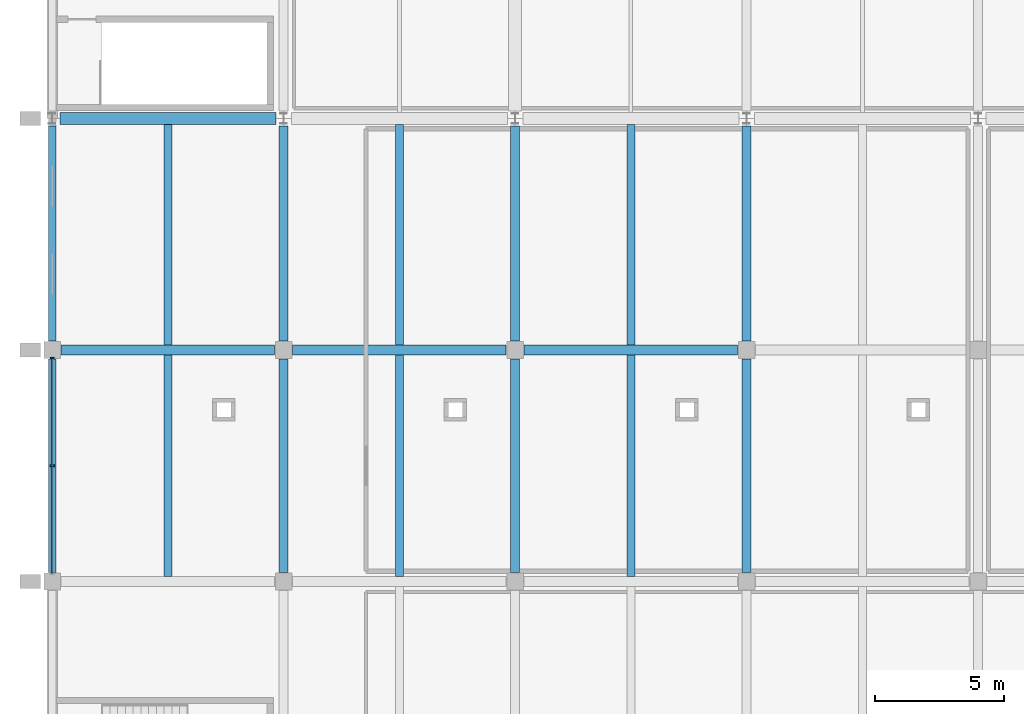
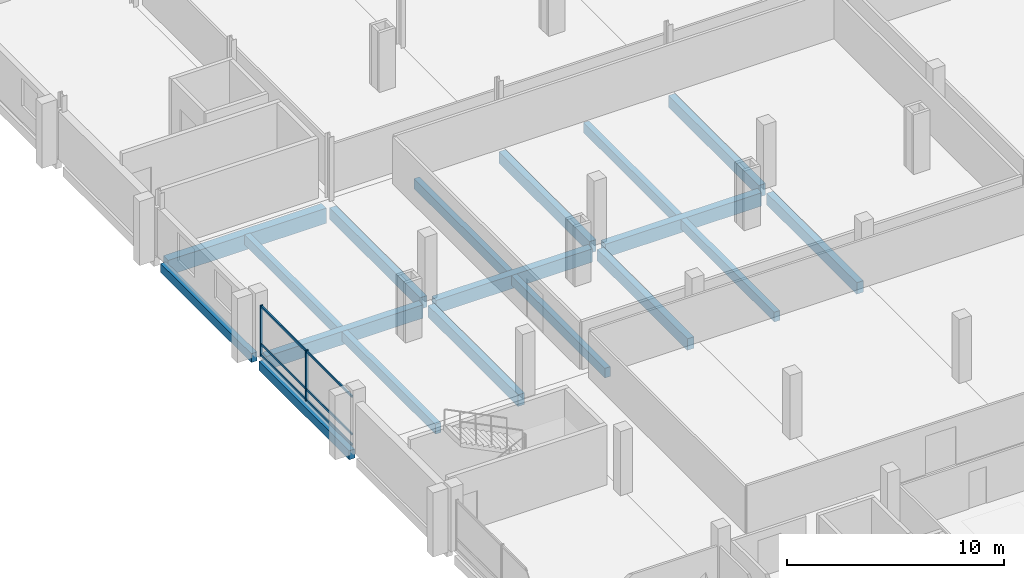
# One storey, part 35 of 132: 18 beams, 8 members, 1 element without a shape of its own.
"""IFC4 building model written with IfcOpenShell, lengths in metres."""

import ifcopenshell
import ifcopenshell.guid

model = None  # the IFC model being written
_history = None  # IfcOwnerHistory: only IFC2X3 demands one
_inside = {}  # id of a spatial element -> (the spatial element, [elements in it])
_under = {}  # id of a project, library or spatial element -> (it, [spatial elements below it])
_declared = {}  # id of a project -> (the project, [libraries it declares])
_typed = {}  # id of a type object -> (the type object, [elements of that type])
_made_of = {}  # id of a material, layer set ... -> (it, [elements and type objects made of it])


def new_model(schema):
    """Start an empty IFC model of exactly this schema.

    Asked for "IFC4X3", IfcOpenShell would pick the latest addendum, in which some entities
    have other attributes; the version numbers below select the first issue.
    IFC2X3 requires an IfcOwnerHistory on every rooted entity: one is made here for all.
    """
    global model, _history
    if schema == "IFC4X3":
        model = ifcopenshell.file(schema_version=(4, 3, 0, 0))
    else:
        model = ifcopenshell.file(schema=schema)
    _inside.clear()
    _under.clear()
    _declared.clear()
    _typed.clear()
    _made_of.clear()
    _history = None
    if model.schema == "IFC2X3":
        org = make("IfcOrganization", Name="unknown")
        user = make(
            "IfcPersonAndOrganization",
            ThePerson=make("IfcPerson", FamilyName="unknown"),
            TheOrganization=org,
        )
        app = make(
            "IfcApplication",
            ApplicationDeveloper=org,
            Version="unknown",
            ApplicationFullName="unknown",
            ApplicationIdentifier="unknown",
        )
        _history = make(
            "IfcOwnerHistory",
            OwningUser=user,
            OwningApplication=app,
            ChangeAction="ADDED",
            CreationDate=0,
        )
    return model


def make(cls, **values):
    """One entity of the class cls with the attributes given. An attribute that is None is left unset."""
    return model.create_entity(
        cls, **{name: value for name, value in values.items() if value is not None}
    )


def rooted(cls, **values):
    """An entity with a GlobalId (a new one), such as an element, a storey or a relation."""
    return make(cls, GlobalId=ifcopenshell.guid.new(), OwnerHistory=_history, **values)


def si_unit(unit_type, name, prefix=None):
    """IfcSIUnit, for example si_unit("LENGTHUNIT", "METRE", prefix="MILLI")."""
    return make("IfcSIUnit", UnitType=unit_type, Prefix=prefix, Name=name)


def assignment(units):
    """IfcUnitAssignment: the units of a project."""
    return None if units is None else make("IfcUnitAssignment", Units=units)


def point(xyz):
    """IfcCartesianPoint."""
    return None if xyz is None else make("IfcCartesianPoint", Coordinates=xyz)


def direction(xyz):
    """IfcDirection."""
    return None if xyz is None else make("IfcDirection", DirectionRatios=xyz)


def frame(location, z_axis=None, x_axis=None):
    """IfcAxis2Placement3D, a coordinate frame: its origin and axes. An axis left out is left unset."""
    return make(
        "IfcAxis2Placement3D",
        Location=point(location),
        Axis=direction(z_axis),
        RefDirection=direction(x_axis),
    )


def frame_2d(location, x_axis=None):
    """IfcAxis2Placement2D, a coordinate frame in the plane: its origin and x axis."""
    return make(
        "IfcAxis2Placement2D", Location=point(location), RefDirection=direction(x_axis)
    )


def origin():
    """The frame at (0, 0, 0) with its axes left unset."""
    return frame((0.0, 0.0, 0.0))


def origin_2d():
    """The frame at (0, 0) in the plane with its x axis left unset."""
    return frame_2d((0.0, 0.0))


def place(relative_to, where):
    """IfcLocalPlacement: puts the frame where relative to a parent placement (None: the world)."""
    return make(
        "IfcLocalPlacement", PlacementRelTo=relative_to, RelativePlacement=where
    )


def context(
    kind, dimensions, precision=None, world=None, true_north=None, identifier=None
):
    """IfcGeometricRepresentationContext, for example the 3D "Model" context."""
    return make(
        "IfcGeometricRepresentationContext",
        ContextIdentifier=identifier,
        ContextType=kind,
        CoordinateSpaceDimension=dimensions,
        Precision=precision,
        WorldCoordinateSystem=world,
        TrueNorth=true_north,
    )


def subcontext(parent, identifier, kind, view, scale=None):
    """IfcGeometricRepresentationSubContext, for example "Body" below "Model"."""
    return make(
        "IfcGeometricRepresentationSubContext",
        ContextIdentifier=identifier,
        ContextType=kind,
        ParentContext=parent,
        TargetScale=scale,
        TargetView=view,
    )


def project(units=None, contexts=None):
    """IfcProject with its units and contexts."""
    return rooted(
        "IfcProject",
        Name="project",
        RepresentationContexts=contexts,
        UnitsInContext=assignment(units),
    )


def spatial(cls, under=None, at=None, **own):
    """A site, building, storey or space (cls), placed at a placement, below another one or the project."""
    s = rooted(cls, ObjectPlacement=at, **own)
    if under is not None:
        _under.setdefault(under.id(), (under, []))[1].append(s)
    return s


def profile(cls, at=None, kind="AREA", **sizes):
    """A parametric profile (cls). Its sizes go by their IFC names, for example OverallWidth=200.0."""
    return make(cls, ProfileType=kind, Position=at, **sizes)


def rectangle(**sizes):
    """IfcRectangleProfileDef."""
    return profile("IfcRectangleProfileDef", **sizes)


def extrude(swept, where, along, depth):
    """IfcExtrudedAreaSolid: the profile swept, set in the frame where, extruded along a direction by depth."""
    return make(
        "IfcExtrudedAreaSolid",
        SweptArea=swept,
        Position=where,
        ExtrudedDirection=direction(along),
        Depth=depth,
    )


def shape(context_of_items, identifier, shape_type, items):
    """IfcShapeRepresentation: the items that make up one representation, for example the "Body"."""
    return make(
        "IfcShapeRepresentation",
        ContextOfItems=context_of_items,
        RepresentationIdentifier=identifier,
        RepresentationType=shape_type,
        Items=items,
    )


def material(Name=None, Category=None):
    """IfcMaterial."""
    return make("IfcMaterial", Name=Name, Category=Category)


def material_profile(
    of_material, cross_section, Name=None, Category=None, Priority=None
):
    """IfcMaterialProfile: a cross section and its material."""
    return make(
        "IfcMaterialProfile",
        Name=Name,
        Material=of_material,
        Profile=cross_section,
        Priority=Priority,
        Category=Category,
    )


def profile_set(profiles, Name=None, composite=None):
    """IfcMaterialProfileSet."""
    return make(
        "IfcMaterialProfileSet",
        Name=Name,
        MaterialProfiles=profiles,
        CompositeProfile=composite,
    )


def made_of(thing, what):
    """Note that an element or type object is made of a material, layer set ...; save() writes the relation."""
    if what is not None:
        _made_of.setdefault(what.id(), (what, []))[1].append(thing)
    return thing


def type_object(cls, material=None, **own):
    """A type object (cls), such as IfcWallType, which elements share."""
    return made_of(rooted(cls, **own), material)


def element(
    cls,
    number,
    at=None,
    inside=None,
    cuts=None,
    type_object=None,
    material=None,
    context=None,
    identifier="Body",
    shape_type=None,
    held_by="IfcProductDefinitionShape",
    body=None,
    shapes=None,
    **own,
):
    """One element of the class cls, such as IfcWall. Its Tag is "e" and its number.

    at: its placement. inside: the storey or other place that contains it. cuts: it is an
    opening in that element (IfcRelVoidsElement). A single representation is given by context,
    identifier, shape_type and body (its items); several are given by shapes. held_by: the class
    of the entity that holds the representations. save() writes the other relations.
    """
    e = rooted(cls, Tag="e%d" % number, ObjectPlacement=at, **own)
    if body is not None:
        shapes = [shape(context, identifier, shape_type, body)]
    if shapes is not None:
        e.Representation = make(held_by, Representations=shapes)
    if inside is not None:
        _inside.setdefault(inside.id(), (inside, []))[1].append(e)
    if cuts is not None:
        rooted(
            "IfcRelVoidsElement", RelatingBuildingElement=cuts, RelatedOpeningElement=e
        )
    if type_object is not None:
        _typed.setdefault(type_object.id(), (type_object, []))[1].append(e)
    return made_of(e, material)


def aggregate(whole, parts):
    """IfcRelAggregates: a whole, such as a stair, and the parts it consists of."""
    return rooted("IfcRelAggregates", RelatingObject=whole, RelatedObjects=parts)


def save(model, path):
    """Write the relations noted so far, then the file.

    IfcRelAggregates (storeys below a building ...), IfcRelContainedInSpatialStructure (elements
    in a storey), IfcRelDefinesByType, IfcRelAssociatesMaterial and IfcRelDeclares: one each for
    every whole, place, type object, material and project.
    """
    for whole, parts in _under.values():
        aggregate(whole, parts)
    for where, things in _inside.values():
        rooted(
            "IfcRelContainedInSpatialStructure",
            RelatedElements=things,
            RelatingStructure=where,
        )
    for kind, things in _typed.values():
        rooted("IfcRelDefinesByType", RelatedObjects=things, RelatingType=kind)
    for what, things in _made_of.values():
        rooted("IfcRelAssociatesMaterial", RelatedObjects=things, RelatingMaterial=what)
    for by, libraries in _declared.values():
        rooted("IfcRelDeclares", RelatingContext=by, RelatedDefinitions=libraries)
    model.write(path)


model = new_model("IFC4")

# Units and contexts
model_context = context("Model", 3, precision=1e-05, world=origin(), true_north=direction((0.0, 1.0)))
body_context = subcontext(model_context, "Body", "Model", "MODEL_VIEW")
ifc_project = project(units=[si_unit("LENGTHUNIT", "METRE"), si_unit("AREAUNIT", "SQUARE_METRE"), si_unit("VOLUMEUNIT", "CUBIC_METRE"), si_unit("PLANEANGLEUNIT", "RADIAN"), si_unit("MASSUNIT", "GRAM", prefix="KILO")], contexts=[model_context])

# Site, building, storey
site_placement = place(None, origin())
site = spatial("IfcSite", under=ifc_project, at=site_placement, CompositionType="ELEMENT")
building_placement = place(site_placement, origin())
building = spatial("IfcBuilding", under=site, at=building_placement, Name="Tharagai Park Tramway Depot", CompositionType="ELEMENT")
storey_placement = place(building_placement, frame((0.0, 0.0, 4.800048828125)))
storey = spatial("IfcBuildingStorey", under=building, at=storey_placement, Name="L01", CompositionType="ELEMENT", Elevation=4.800048828125)

# Beams
ifc_material_1 = material(Name="Concrete M35", Category="concrete")
ifc_material_profile_1 = material_profile(ifc_material_1, rectangle(XDim=0.449951171875, YDim=0.85009765625, at=origin_2d()), Name="RC 450x850")
ifc_profile_set_1 = profile_set([ifc_material_profile_1], Name="Concrete M35")
beam_type_1 = type_object("IfcBeamType", Name="BM-03", PredefinedType="BEAM", material=ifc_profile_set_1)
beam_1_placement = place(storey_placement, frame((0.300048828125, 45.0, -0.705078125), z_axis=(1.0, 0.0, 0.0), x_axis=(0.0, 1.0, 0.0)))
element("IfcBeam", 1, at=beam_1_placement, inside=storey, type_object=beam_type_1, Name="L01 Grid Beam BM-03", PredefinedType="BEAM", context=body_context, shape_type="SweptSolid", body=[
    extrude(rectangle(XDim=0.449951171875, YDim=0.85009765625, at=origin_2d()), origin(), (0.0, 0.0, 1.0), 8.39990234375),
])
ifc_material_profile_2 = material_profile(ifc_material_1, rectangle(XDim=0.35009765625, YDim=0.64990234375, at=origin_2d()), Name="RC 350x650")
ifc_profile_set_2 = profile_set([ifc_material_profile_2], Name="Concrete M35")
beam_type_2 = type_object("IfcBeamType", Name="BM-13", PredefinedType="BEAM", material=ifc_profile_set_2)
beam_2_placement = place(storey_placement, frame((9.0, 27.35009765625, -0.574951171875), z_axis=(0.0, 1.0, 0.0), x_axis=(-1.0, 0.0, 0.0)))
element("IfcBeam", 2, at=beam_2_placement, inside=storey, type_object=beam_type_2, Name="L01 Grid Beam BM-13", PredefinedType="BEAM", context=body_context, shape_type="SweptSolid", body=[
    extrude(rectangle(XDim=0.35009765625, YDim=0.64990234375, at=origin_2d()), origin(), (0.0, 0.0, 1.0), 8.2998046875),
])
beam_3_placement = place(storey_placement, frame((9.0, 36.35009765625, -0.574951171875), z_axis=(0.0, 1.0, 0.0), x_axis=(-1.0, 0.0, 0.0)))
element("IfcBeam", 3, at=beam_3_placement, inside=storey, type_object=beam_type_2, Name="L01 Grid Beam BM-13", PredefinedType="BEAM", context=body_context, shape_type="SweptSolid", body=[
    extrude(rectangle(XDim=0.35009765625, YDim=0.64990234375, at=origin_2d()), origin(), (0.0, 0.0, 1.0), 8.349853515625),
])
beam_4_placement = place(storey_placement, frame((18.0, 27.35009765625, -0.574951171875), z_axis=(0.0, 1.0, 0.0), x_axis=(-1.0, 0.0, 0.0)))
element("IfcBeam", 4, at=beam_4_placement, inside=storey, type_object=beam_type_2, Name="L01 Grid Beam BM-13", PredefinedType="BEAM", context=body_context, shape_type="SweptSolid", body=[
    extrude(rectangle(XDim=0.35009765625, YDim=0.64990234375, at=origin_2d()), origin(), (0.0, 0.0, 1.0), 8.2998046875),
])
beam_5_placement = place(storey_placement, frame((18.0, 36.35009765625, -0.574951171875), z_axis=(0.0, 1.0, 0.0), x_axis=(-1.0, 0.0, 0.0)))
element("IfcBeam", 5, at=beam_5_placement, inside=storey, type_object=beam_type_2, Name="L01 Grid Beam BM-13", PredefinedType="BEAM", context=body_context, shape_type="SweptSolid", body=[
    extrude(rectangle(XDim=0.35009765625, YDim=0.64990234375, at=origin_2d()), origin(), (0.0, 0.0, 1.0), 8.349853515625),
])
beam_6_placement = place(storey_placement, frame((27.0, 27.35009765625, -0.574951171875), z_axis=(0.0, 1.0, 0.0), x_axis=(-1.0, 0.0, 0.0)))
element("IfcBeam", 6, at=beam_6_placement, inside=storey, type_object=beam_type_2, Name="L01 Grid Beam BM-13", PredefinedType="BEAM", context=body_context, shape_type="SweptSolid", body=[
    extrude(rectangle(XDim=0.35009765625, YDim=0.64990234375, at=origin_2d()), origin(), (0.0, 0.0, 1.0), 8.2998046875),
])
beam_7_placement = place(storey_placement, frame((27.0, 36.35009765625, -0.574951171875), z_axis=(0.0, 1.0, 0.0), x_axis=(-1.0, 0.0, 0.0)))
element("IfcBeam", 7, at=beam_7_placement, inside=storey, type_object=beam_type_2, Name="L01 Grid Beam BM-13", PredefinedType="BEAM", context=body_context, shape_type="SweptSolid", body=[
    extrude(rectangle(XDim=0.35009765625, YDim=0.64990234375, at=origin_2d()), origin(), (0.0, 0.0, 1.0), 8.349853515625),
])
ifc_material_profile_3 = material_profile(ifc_material_1, rectangle(XDim=0.39990234375, YDim=0.75, at=origin_2d()), Name="RC 400x750")
ifc_profile_set_3 = profile_set([ifc_material_profile_3], Name="Concrete M35")
beam_type_3 = type_object("IfcBeamType", Name="BM-19", PredefinedType="BEAM", material=ifc_profile_set_3)
for number, where, z_axis, x_axis, name in (
    (8, (0.35009765625, 36.0, -0.625), (1.0, 0.0, 0.0), (0.0, 1.0, 0.0), "L01 Grid Beam BM-19"),
    (9, (9.35009765625, 36.0, -0.625), (1.0, 0.0, 0.0), (0.0, 1.0, 0.0), "L01 Grid Beam BM-19"),
    (10, (18.35009765625, 36.0, -0.625), (1.0, 0.0, 0.0), (0.0, 1.0, 0.0), "L01 Grid Beam BM-19"),
):
    element("IfcBeam", number, at=place(storey_placement, frame(where, z_axis=z_axis, x_axis=x_axis)), inside=storey, type_object=beam_type_3, Name=name, PredefinedType="BEAM", context=body_context, shape_type="SweptSolid", body=[
        extrude(rectangle(XDim=0.39990234375, YDim=0.75, at=origin_2d()), origin(), (0.0, 0.0, 1.0), 8.2998046875),
    ])

# Curtain wall, members
ifc_material_2 = material(Name="Anodised aluminium", Category="aluminium")
curtain_wall_type = type_object("IfcCurtainWallType", Name="CW-07", PredefinedType="NOTDEFINED", material=ifc_material_2)
curtain_wall_placement = place(storey_placement, origin())
curtain_wall = element("IfcCurtainWall", 11, at=curtain_wall_placement, inside=storey, type_object=curtain_wall_type, Name="L01 V4 Side Mullioned Curtain Wall CW-07", PredefinedType="NOTDEFINED")
ifc_material_profile_4 = material_profile(ifc_material_2, rectangle(XDim=0.06494140625, YDim=0.1201171875, at=origin_2d()), Name="ALU 65x120")
ifc_profile_set_4 = profile_set([ifc_material_profile_4], Name="Anodised aluminium")
member_type_1 = type_object("IfcMemberType", Name="CM-01", PredefinedType="USERDEFINED", material=ifc_profile_set_4)
member_1_placement = place(storey_placement, frame((0.0, 27.330078125, 0.06005859375), z_axis=(0.0, 1.0, 0.0), x_axis=(-1.0, 0.0, 0.0)))
member_1 = element("IfcMember", 12, at=member_1_placement, type_object=member_type_1, Name="L01 V4 Side Mullioned Curtain Wall Transom 1.1", ObjectType="TRANSOM", PredefinedType="USERDEFINED", context=body_context, shape_type="SweptSolid", body=[
    extrude(rectangle(XDim=0.06494140625, YDim=0.1201171875, at=origin_2d()), origin(), (0.0, 0.0, 1.0), 4.155029296875),
])
member_2_placement = place(storey_placement, frame((0.0, 27.330078125, 0.64990234375), z_axis=(0.0, 1.0, 0.0), x_axis=(-1.0, 0.0, 0.0)))
member_2 = element("IfcMember", 13, at=member_2_placement, type_object=member_type_1, Name="L01 V4 Side Mullioned Curtain Wall Transom 1.2", ObjectType="TRANSOM", PredefinedType="USERDEFINED", context=body_context, shape_type="SweptSolid", body=[
    extrude(rectangle(XDim=0.06494140625, YDim=0.1201171875, at=origin_2d()), origin(), (0.0, 0.0, 1.0), 4.155029296875),
])
member_3_placement = place(storey_placement, frame((0.0, 27.330078125, 2.77001953125), z_axis=(0.0, 1.0, 0.0), x_axis=(-1.0, 0.0, 0.0)))
member_3 = element("IfcMember", 14, at=member_3_placement, type_object=member_type_1, Name="L01 V4 Side Mullioned Curtain Wall Transom 1.3", ObjectType="TRANSOM", PredefinedType="USERDEFINED", context=body_context, shape_type="SweptSolid", body=[
    extrude(rectangle(XDim=0.06494140625, YDim=0.1201171875, at=origin_2d()), origin(), (0.0, 0.0, 1.0), 4.155029296875),
])
member_4_placement = place(storey_placement, frame((0.0, 31.514892578125, 0.06005859375), z_axis=(0.0, 1.0, 0.0), x_axis=(-1.0, 0.0, 0.0)))
member_4 = element("IfcMember", 15, at=member_4_placement, type_object=member_type_1, Name="L01 V4 Side Mullioned Curtain Wall Transom 2.1", ObjectType="TRANSOM", PredefinedType="USERDEFINED", context=body_context, shape_type="SweptSolid", body=[
    extrude(rectangle(XDim=0.06494140625, YDim=0.1201171875, at=origin_2d()), origin(), (0.0, 0.0, 1.0), 4.155029296875),
])
member_5_placement = place(storey_placement, frame((0.0, 31.514892578125, 0.64990234375), z_axis=(0.0, 1.0, 0.0), x_axis=(-1.0, 0.0, 0.0)))
member_5 = element("IfcMember", 16, at=member_5_placement, type_object=member_type_1, Name="L01 V4 Side Mullioned Curtain Wall Transom 2.2", ObjectType="TRANSOM", PredefinedType="USERDEFINED", context=body_context, shape_type="SweptSolid", body=[
    extrude(rectangle(XDim=0.06494140625, YDim=0.1201171875, at=origin_2d()), origin(), (0.0, 0.0, 1.0), 4.155029296875),
])
member_6_placement = place(storey_placement, frame((0.0, 31.514892578125, 2.77001953125), z_axis=(0.0, 1.0, 0.0), x_axis=(-1.0, 0.0, 0.0)))
member_6 = element("IfcMember", 17, at=member_6_placement, type_object=member_type_1, Name="L01 V4 Side Mullioned Curtain Wall Transom 2.3", ObjectType="TRANSOM", PredefinedType="USERDEFINED", context=body_context, shape_type="SweptSolid", body=[
    extrude(rectangle(XDim=0.06494140625, YDim=0.1201171875, at=origin_2d()), origin(), (0.0, 0.0, 1.0), 4.155029296875),
])
ifc_material_profile_5 = material_profile(ifc_material_2, rectangle(XDim=0.06494140625, YDim=0.14990234375, at=origin_2d()), Name="ALU 65x150")
ifc_profile_set_5 = profile_set([ifc_material_profile_5], Name="Anodised aluminium")
member_type_2 = type_object("IfcMemberType", Name="CM-03", PredefinedType="MULLION", material=ifc_profile_set_5)
member_7_placement = place(storey_placement, frame((0.0, 31.5, -0.005126953125), z_axis=(0.0, 0.0, 1.0), x_axis=(0.0, 1.0, 0.0)))
member_7 = element("IfcMember", 18, at=member_7_placement, type_object=member_type_2, Name="L01 V4 Side Mullioned Curtain Wall Mullion 2", PredefinedType="MULLION", context=body_context, shape_type="SweptSolid", body=[
    extrude(rectangle(XDim=0.06494140625, YDim=0.14990234375, at=origin_2d()), origin(), (0.0, 0.0, 1.0), 2.860107421875),
])
member_8_placement = place(storey_placement, frame((0.0, 35.68505859375, -0.005126953125), z_axis=(0.0, 0.0, 1.0), x_axis=(0.0, 1.0, 0.0)))
member_8 = element("IfcMember", 19, at=member_8_placement, type_object=member_type_2, Name="L01 V4 Side Mullioned Curtain Wall Mullion 3", PredefinedType="MULLION", context=body_context, shape_type="SweptSolid", body=[
    extrude(rectangle(XDim=0.06494140625, YDim=0.14990234375, at=origin_2d()), origin(), (0.0, 0.0, 1.0), 2.860107421875),
])
aggregate(curtain_wall, [member_7, member_8, member_1, member_2, member_3, member_4, member_5, member_6])

# Beams
ifc_material_profile_6 = material_profile(ifc_material_1, rectangle(XDim=0.300048828125, YDim=0.550048828125, at=origin_2d()), Name="RC 300x550")
ifc_profile_set_6 = profile_set([ifc_material_profile_6], Name="Concrete M35")
beam_type_4 = type_object("IfcBeamType", Name="JT-06", PredefinedType="JOIST", material=ifc_profile_set_6)
beam_8_placement = place(storey_placement, frame((4.5, 27.199951171875, -0.525146484375), z_axis=(0.0, 1.0, 0.0), x_axis=(-1.0, 0.0, 0.0)))
element("IfcBeam", 20, at=beam_8_placement, inside=storey, type_object=beam_type_4, Name="L01 Secondary Joist JT-06", PredefinedType="JOIST", context=body_context, shape_type="SweptSolid", body=[
    extrude(rectangle(XDim=0.300048828125, YDim=0.550048828125, at=origin_2d()), origin(), (0.0, 0.0, 1.0), 8.60009765625),
])
beam_9_placement = place(storey_placement, frame((4.5, 36.199951171875, -0.525146484375), z_axis=(0.0, 1.0, 0.0), x_axis=(-1.0, 0.0, 0.0)))
element("IfcBeam", 21, at=beam_9_placement, inside=storey, type_object=beam_type_4, Name="L01 Secondary Joist JT-06", PredefinedType="JOIST", context=body_context, shape_type="SweptSolid", body=[
    extrude(rectangle(XDim=0.300048828125, YDim=0.550048828125, at=origin_2d()), origin(), (0.0, 0.0, 1.0), 8.574951171875),
])
beam_10_placement = place(storey_placement, frame((13.5, 27.199951171875, -0.525146484375), z_axis=(0.0, 1.0, 0.0), x_axis=(-1.0, 0.0, 0.0)))
element("IfcBeam", 22, at=beam_10_placement, inside=storey, type_object=beam_type_4, Name="L01 Secondary Joist JT-06", PredefinedType="JOIST", context=body_context, shape_type="SweptSolid", body=[
    extrude(rectangle(XDim=0.300048828125, YDim=0.550048828125, at=origin_2d()), origin(), (0.0, 0.0, 1.0), 8.60009765625),
])
beam_11_placement = place(storey_placement, frame((13.5, 36.199951171875, -0.525146484375), z_axis=(0.0, 1.0, 0.0), x_axis=(-1.0, 0.0, 0.0)))
element("IfcBeam", 23, at=beam_11_placement, inside=storey, type_object=beam_type_4, Name="L01 Secondary Joist JT-06", PredefinedType="JOIST", context=body_context, shape_type="SweptSolid", body=[
    extrude(rectangle(XDim=0.300048828125, YDim=0.550048828125, at=origin_2d()), origin(), (0.0, 0.0, 1.0), 8.574951171875),
])
beam_12_placement = place(storey_placement, frame((22.5, 27.199951171875, -0.525146484375), z_axis=(0.0, 1.0, 0.0), x_axis=(-1.0, 0.0, 0.0)))
element("IfcBeam", 24, at=beam_12_placement, inside=storey, type_object=beam_type_4, Name="L01 Secondary Joist JT-06", PredefinedType="JOIST", context=body_context, shape_type="SweptSolid", body=[
    extrude(rectangle(XDim=0.300048828125, YDim=0.550048828125, at=origin_2d()), origin(), (0.0, 0.0, 1.0), 8.60009765625),
])
beam_13_placement = place(storey_placement, frame((22.5, 36.199951171875, -0.525146484375), z_axis=(0.0, 1.0, 0.0), x_axis=(-1.0, 0.0, 0.0)))
element("IfcBeam", 25, at=beam_13_placement, inside=storey, type_object=beam_type_4, Name="L01 Secondary Joist JT-06", PredefinedType="JOIST", context=body_context, shape_type="SweptSolid", body=[
    extrude(rectangle(XDim=0.300048828125, YDim=0.550048828125, at=origin_2d()), origin(), (0.0, 0.0, 1.0), 8.574951171875),
])
ifc_material_profile_7 = material_profile(ifc_material_1, rectangle(XDim=0.300048828125, YDim=0.5, at=origin_2d()), Name="RC 300x500")
ifc_profile_set_7 = profile_set([ifc_material_profile_7], Name="Concrete M35")
beam_type_5 = type_object("IfcBeamType", Name="SP-03", PredefinedType="SPANDREL", material=ifc_profile_set_7)
beam_14_placement = place(storey_placement, frame((0.0, 27.35009765625, -0.5), z_axis=(0.0, 1.0, 0.0), x_axis=(-1.0, 0.0, 0.0)))
element("IfcBeam", 26, at=beam_14_placement, inside=storey, type_object=beam_type_5, Name="L01 Grid Beam SP-03", PredefinedType="SPANDREL", context=body_context, shape_type="SweptSolid", body=[
    extrude(rectangle(XDim=0.300048828125, YDim=0.5, at=origin_2d()), origin(), (0.0, 0.0, 1.0), 8.2998046875),
])
beam_15_placement = place(storey_placement, frame((0.0, 36.35009765625, -0.5), z_axis=(0.0, 1.0, 0.0), x_axis=(-1.0, 0.0, 0.0)))
element("IfcBeam", 27, at=beam_15_placement, inside=storey, type_object=beam_type_5, Name="L01 Grid Beam SP-03", PredefinedType="SPANDREL", context=body_context, shape_type="SweptSolid", body=[
    extrude(rectangle(XDim=0.300048828125, YDim=0.5, at=origin_2d()), origin(), (0.0, 0.0, 1.0), 8.349853515625),
])

save(model, "model.ifc")
